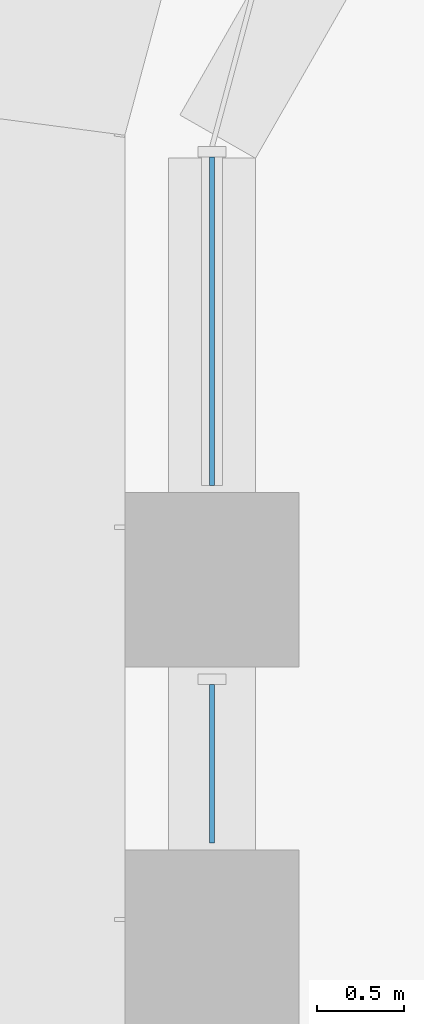
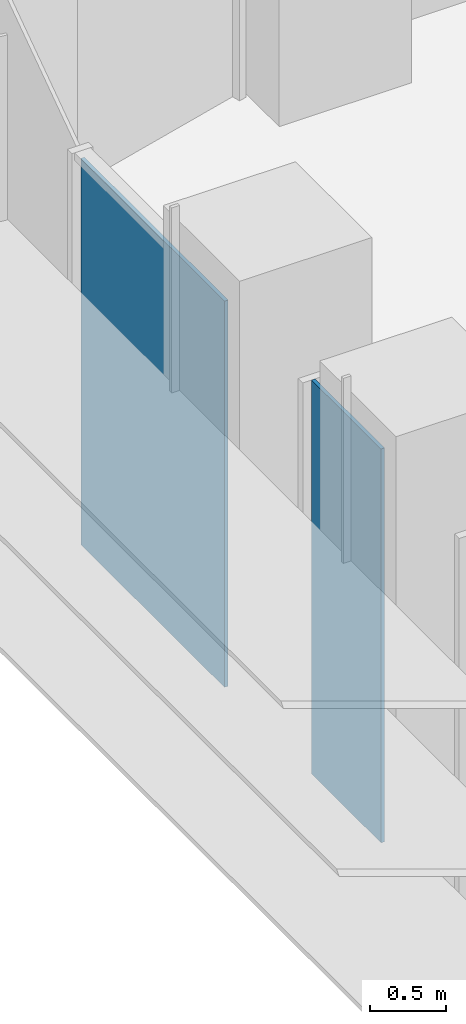
# One storey, part 14 of 23: 2 plates, 1 element without a shape of its own.
"""IFC4 building model written with IfcOpenShell, lengths in metres."""

from ifc_helpers import new_model, si_unit, direction, frame, origin, place, context, subcontext, project, spatial, polyline, outline, extrude, source, transform, mapped, material, layer, layer_set, type_object, element, aggregate, save


model = new_model("IFC4")

# Units and contexts
model_context = context("Model", 3, precision=1e-05, world=origin(), true_north=direction((0.0, 1.0)))
body_context = subcontext(model_context, "Body", "Model", "MODEL_VIEW")
ifc_project = project(units=[si_unit("LENGTHUNIT", "METRE"), si_unit("AREAUNIT", "SQUARE_METRE"), si_unit("VOLUMEUNIT", "CUBIC_METRE"), si_unit("PLANEANGLEUNIT", "RADIAN"), si_unit("MASSUNIT", "GRAM", prefix="KILO")], contexts=[model_context])

# Site, building, storey
site_placement = place(None, origin())
site = spatial("IfcSite", under=ifc_project, at=site_placement, CompositionType="ELEMENT")
building_placement = place(site_placement, origin())
building = spatial("IfcBuilding", under=site, at=building_placement, Name="Zarbagh Exchange Tower", CompositionType="ELEMENT")
storey_placement = place(building_placement, frame((0.0, 0.0, 56.39990234375)))
storey = spatial("IfcBuildingStorey", under=building, at=storey_placement, Name="L12", CompositionType="ELEMENT", Elevation=56.39990234375)

# Curtain wall, plates
ifc_material_1 = material(Name="Anodised aluminium frame and glazing", Category="aluminium")
curtain_wall_type = type_object("IfcCurtainWallType", Name="CWA Ribbon glazing, lower zones", PredefinedType="NOTDEFINED", material=ifc_material_1)
curtain_wall_placement = place(storey_placement, origin())
curtain_wall = element("IfcCurtainWall", 1, at=curtain_wall_placement, inside=storey, type_object=curtain_wall_type, Name="CWA28 curtain wall", PredefinedType="NOTDEFINED")
ifc_material_2 = material(Name="Low-e double glazed unit, 6+12+6 mm")
ifc_layer = layer(ifc_material_2, 0.028076171875)
ifc_layer_set = layer_set([ifc_layer], Name="PAA Glazing panel, Low-e double glazed unit, 6+12+6 mm")
plate_type = type_object("IfcPlateType", Name="PAA Glazing panel, Low-e double glazed unit, 6+12+6 mm", PredefinedType="CURTAIN_PANEL", material=ifc_layer_set)
shared_shape_1 = source(origin(), body_context, "Body", "SweptSolid", [
    extrude(outline(polyline([(0.0, -0.013916015625), (0.909912109375, -0.013916015625), (0.909912109375, 0.013916015625), (0.0, 0.013916015625), (0.0, -0.013916015625)])), origin(), (0.0, 0.0, 1.0), 3.14990234375),
])
placement = place(storey_placement, origin())
plate_1 = element("IfcPlate", 2, at=placement, type_object=plate_type, Name="CWA28 glazing panel 2.1", PredefinedType="CURTAIN_PANEL", context=body_context, shape_type="MappedRepresentation", body=[
    mapped(shared_shape_1, transform((-6.25, 26.099853515625, 0.0), x_axis=(0.0, -1.0, 0.0), y_axis=(1.0, 0.0, 0.0), z_axis=(0.0, 0.0, 1.0))),
])
shared_shape_2 = source(origin(), body_context, "Body", "SweptSolid", [
    extrude(outline(polyline([(0.0, -0.013916015625), (1.88427734375, -0.013916015625), (1.88427734375, 0.013916015625), (0.0, 0.013916015625), (0.0, -0.013916015625)])), origin(), (0.0, 0.0, 1.0), 3.090087890625),
])
plate_2 = element("IfcPlate", 3, at=placement, type_object=plate_type, Name="CWA28 glazing panel 1.1", PredefinedType="CURTAIN_PANEL", context=body_context, shape_type="MappedRepresentation", body=[
    mapped(shared_shape_2, transform((-6.25, 29.124267578125, 0.0), x_axis=(0.0, -1.0, 0.0), y_axis=(1.0, 0.0, 0.0), z_axis=(0.0, 0.0, 1.0))),
])
aggregate(curtain_wall, [plate_2, plate_1])

save(model, "model.ifc")
